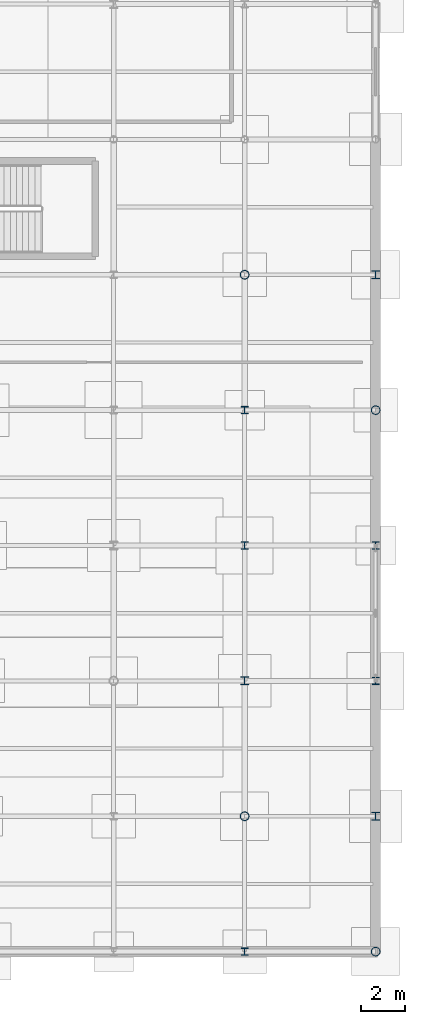
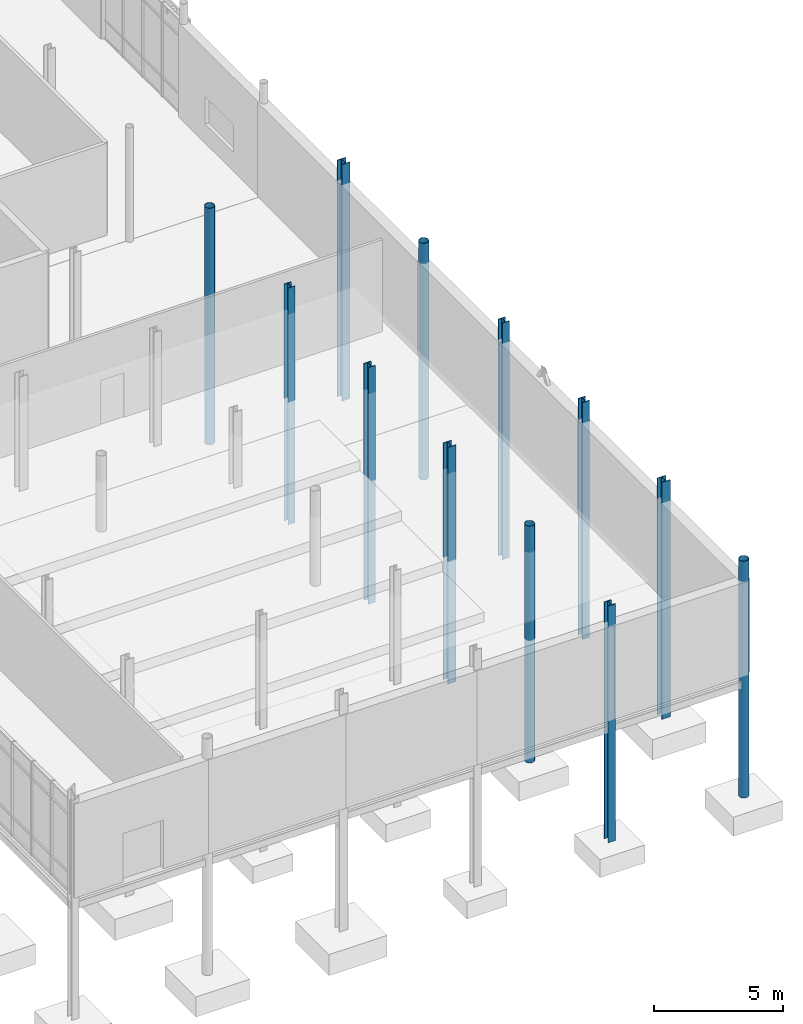
# One storey, part 22 of 98: 12 columns.
"""IFC4 building model written with IfcOpenShell, lengths in metres."""

from ifc_helpers import new_model, si_unit, direction, frame, origin, origin_2d, place, context, subcontext, project, spatial, hollow_circle, i_section, extrude, material, material_profile, profile_set, type_object, element, save


model = new_model("IFC4")

# Units and contexts
model_context = context("Model", 3, precision=1e-05, world=origin(), true_north=direction((0.0, 1.0)))
body_context = subcontext(model_context, "Body", "Model", "MODEL_VIEW")
ifc_project = project(units=[si_unit("LENGTHUNIT", "METRE"), si_unit("AREAUNIT", "SQUARE_METRE"), si_unit("VOLUMEUNIT", "CUBIC_METRE"), si_unit("PLANEANGLEUNIT", "RADIAN"), si_unit("MASSUNIT", "GRAM", prefix="KILO")], contexts=[model_context])

# Site, building, storey
site_placement = place(None, origin())
site = spatial("IfcSite", under=ifc_project, at=site_placement, CompositionType="ELEMENT")
building_placement = place(site_placement, origin())
building = spatial("IfcBuilding", under=site, at=building_placement, Name="Mirzam Square Science Centre", CompositionType="ELEMENT")
storey_placement = place(building_placement, origin())
storey = spatial("IfcBuildingStorey", under=building, at=storey_placement, Name="L00", CompositionType="ELEMENT", Elevation=0.0)

# Columns
ifc_material = material(Name="Steel S355", Category="steel")
ifc_material_profile_1 = material_profile(ifc_material, hollow_circle(Radius=0.203125, WallThickness=0.01611328125, at=origin_2d()), Name="406.4x16.0CHS")
ifc_profile_set_1 = profile_set([ifc_material_profile_1], Name="Steel S355")
column_type_1 = type_object("IfcColumnType", Name="COL-CHS406", PredefinedType="COLUMN", material=ifc_profile_set_1)
for number, where, z_axis, x_axis, name in (
    (1, (156.0, 6.199951171875, -5.800048828125), (0.0, 0.0, 1.0), (1.0, 0.0, 0.0), "L00 column G27-02"),
    (2, (156.0, 31.0, -5.800048828125), (0.0, 0.0, 1.0), (1.0, 0.0, 0.0), "L00 column G27-06"),
    (3, (162.0, 0.0, -5.800048828125), (0.0, 0.0, 1.0), (1.0, 0.0, 0.0), "L00 column G28-01"),
    (4, (162.0, 24.800048828125, -5.800048828125), (0.0, 0.0, 1.0), (1.0, 0.0, 0.0), "L00 column G28-05"),
):
    element("IfcColumn", number, at=place(storey_placement, frame(where, z_axis=z_axis, x_axis=x_axis)), inside=storey, type_object=column_type_1, Name=name, PredefinedType="COLUMN", context=body_context, shape_type="SweptSolid", body=[
        extrude(hollow_circle(Radius=0.203125, WallThickness=0.01611328125, at=origin_2d()), origin(), (0.0, 0.0, 1.0), 11.199951171875),
    ])
ifc_material_profile_2 = material_profile(ifc_material, i_section(OverallWidth=0.314453125, OverallDepth=0.33984375, WebThickness=0.01904296875, FlangeThickness=0.031494140625, FilletRadius=0.01513671875, at=origin_2d()), Name="305x305x198UC")
ifc_profile_set_2 = profile_set([ifc_material_profile_2], Name="Steel S355")
column_type_2 = type_object("IfcColumnType", Name="COL-UC305B", PredefinedType="COLUMN", material=ifc_profile_set_2)
for number, where, z_axis, x_axis, name in (
    (5, (156.0, 0.0, -5.800048828125), (0.0, 0.0, 1.0), (1.0, 0.0, 0.0), "L00 column G27-01"),
    (6, (156.0, 24.800048828125, -5.800048828125), (0.0, 0.0, 1.0), (1.0, 0.0, 0.0), "L00 column G27-05"),
    (7, (162.0, 18.60009765625, -5.800048828125), (0.0, 0.0, 1.0), (1.0, 0.0, 0.0), "L00 column G28-04"),
):
    element("IfcColumn", number, at=place(storey_placement, frame(where, z_axis=z_axis, x_axis=x_axis)), inside=storey, type_object=column_type_2, Name=name, PredefinedType="COLUMN", context=body_context, shape_type="SweptSolid", body=[
        extrude(i_section(OverallWidth=0.314453125, OverallDepth=0.33984375, WebThickness=0.01904296875, FlangeThickness=0.031494140625, FilletRadius=0.01513671875, at=origin_2d()), origin(), (0.0, 0.0, 1.0), 11.199951171875),
    ])
ifc_material_profile_3 = material_profile(ifc_material, i_section(OverallWidth=0.318359375, OverallDepth=0.3525390625, WebThickness=0.02294921875, FlangeThickness=0.03759765625, FilletRadius=0.01513671875, at=origin_2d()), Name="305x305x240UC")
ifc_profile_set_3 = profile_set([ifc_material_profile_3], Name="Steel S355")
column_type_3 = type_object("IfcColumnType", Name="COL-UC305C", PredefinedType="COLUMN", material=ifc_profile_set_3)
for number, where, z_axis, x_axis, name in (
    (8, (156.0, 18.60009765625, -5.800048828125), (0.0, 0.0, 1.0), (1.0, 0.0, 0.0), "L00 column G27-04"),
    (9, (162.0, 12.39990234375, -5.800048828125), (0.0, 0.0, 1.0), (1.0, 0.0, 0.0), "L00 column G28-03"),
):
    element("IfcColumn", number, at=place(storey_placement, frame(where, z_axis=z_axis, x_axis=x_axis)), inside=storey, type_object=column_type_3, Name=name, PredefinedType="COLUMN", context=body_context, shape_type="SweptSolid", body=[
        extrude(i_section(OverallWidth=0.318359375, OverallDepth=0.3525390625, WebThickness=0.02294921875, FlangeThickness=0.03759765625, FilletRadius=0.01513671875, at=origin_2d()), origin(), (0.0, 0.0, 1.0), 11.199951171875),
    ])
ifc_material_profile_4 = material_profile(ifc_material, i_section(OverallWidth=0.374755859375, OverallDepth=0.37451171875, WebThickness=0.0166015625, FlangeThickness=0.027099609375, FilletRadius=0.01513671875, at=origin_2d()), Name="356x368x202UC")
ifc_profile_set_4 = profile_set([ifc_material_profile_4], Name="Steel S355")
column_type_4 = type_object("IfcColumnType", Name="COL-UC356A", PredefinedType="COLUMN", material=ifc_profile_set_4)
for number, where, z_axis, x_axis, name in (
    (10, (156.0, 12.39990234375, -5.800048828125), (0.0, 0.0, 1.0), (1.0, 0.0, 0.0), "L00 column G27-03"),
    (11, (162.0, 6.199951171875, -5.800048828125), (0.0, 0.0, 1.0), (1.0, 0.0, 0.0), "L00 column G28-02"),
    (12, (162.0, 31.0, -5.800048828125), (0.0, 0.0, 1.0), (1.0, 0.0, 0.0), "L00 column G28-06"),
):
    element("IfcColumn", number, at=place(storey_placement, frame(where, z_axis=z_axis, x_axis=x_axis)), inside=storey, type_object=column_type_4, Name=name, PredefinedType="COLUMN", context=body_context, shape_type="SweptSolid", body=[
        extrude(i_section(OverallWidth=0.374755859375, OverallDepth=0.37451171875, WebThickness=0.0166015625, FlangeThickness=0.027099609375, FilletRadius=0.01513671875, at=origin_2d()), origin(), (0.0, 0.0, 1.0), 11.199951171875),
    ])

save(model, "model.ifc")
